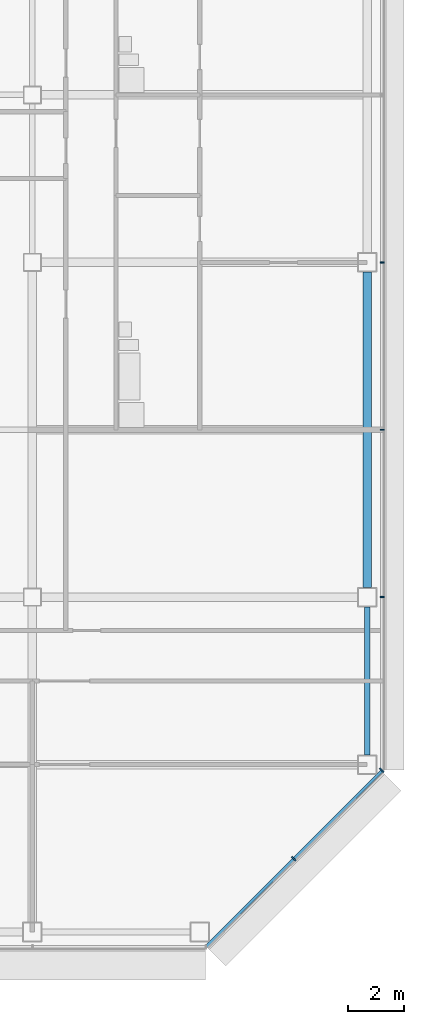
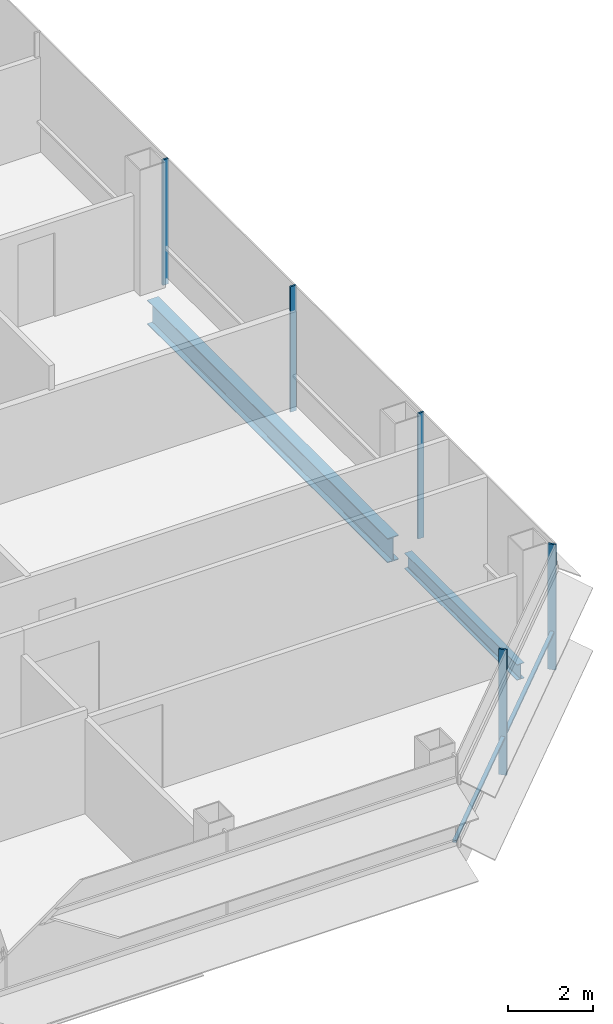
# One storey, part 15 of 26: 6 members, 2 beams, 2 elements without a shape of their own.
"""IFC4 building model written with IfcOpenShell, lengths in metres."""

from ifc_helpers import new_model, si_unit, direction, frame, origin, origin_2d, place, context, subcontext, project, spatial, rectangle, i_section, extrude, material, material_profile, profile_set, type_object, element, aggregate, save


model = new_model("IFC4")

# Units and contexts
model_context = context("Model", 3, precision=1e-05, world=origin(), true_north=direction((0.0, 1.0)))
body_context = subcontext(model_context, "Body", "Model", "MODEL_VIEW")
ifc_project = project(units=[si_unit("LENGTHUNIT", "METRE"), si_unit("AREAUNIT", "SQUARE_METRE"), si_unit("VOLUMEUNIT", "CUBIC_METRE"), si_unit("PLANEANGLEUNIT", "RADIAN"), si_unit("MASSUNIT", "GRAM", prefix="KILO")], contexts=[model_context])

# Site, building, storey
site_placement = place(None, origin())
site = spatial("IfcSite", under=ifc_project, at=site_placement, CompositionType="ELEMENT")
building_placement = place(site_placement, origin())
building = spatial("IfcBuilding", under=site, at=building_placement, Name="Sorahane Residences", CompositionType="ELEMENT")
storey_placement = place(building_placement, frame((0.0, 0.0, 154.60009765625)))
storey = spatial("IfcBuildingStorey", under=building, at=storey_placement, Name="L35", CompositionType="ELEMENT", Elevation=154.60009765625)

# Curtain wall, members
ifc_material_1 = material(Name="Dark low-e glass and black anodised aluminium", Category="aluminium")
curtain_wall_type_1 = type_object("IfcCurtainWallType", Name="Curtain wall CW-1 Typical unitised wall", PredefinedType="NOTDEFINED", material=ifc_material_1)
curtain_wall_1_placement = place(storey_placement, origin())
curtain_wall_1 = element("IfcCurtainWall", 1, at=curtain_wall_1_placement, inside=storey, type_object=curtain_wall_type_1, Name="CW-1 curtain wall L35 E1", PredefinedType="NOTDEFINED")
ifc_material_2 = material(Name="Black anodised aluminium", Category="aluminium")
ifc_material_profile_1 = material_profile(ifc_material_2, rectangle(XDim=0.159912109375, YDim=0.050048828125, at=origin_2d()), Name="Curtain wall mullion CW-1 black anodised aluminium 50x160")
ifc_profile_set_1 = profile_set([ifc_material_profile_1], Name="Black anodised aluminium")
member_type_1 = type_object("IfcMemberType", Name="Curtain wall mullion CW-1 black anodised aluminium 50x160", PredefinedType="MULLION", material=ifc_profile_set_1)
member_1_placement = place(storey_placement, frame((60.5400390625, 12.0, -0.18017578125), z_axis=(0.0, 0.0, 1.0), x_axis=(1.0, 0.0, 0.0)))
member_1 = element("IfcMember", 2, at=member_1_placement, type_object=member_type_1, Name="CW-1 mullion L35 E1.2", PredefinedType="MULLION", context=body_context, shape_type="SweptSolid", body=[
    extrude(rectangle(XDim=0.159912109375, YDim=0.050048828125, at=origin_2d()), origin(), (0.0, 0.0, 1.0), 3.60009765625),
])
member_2_placement = place(storey_placement, frame((60.5400390625, 18.0, -0.18017578125), z_axis=(0.0, 0.0, 1.0), x_axis=(1.0, 0.0, 0.0)))
member_2 = element("IfcMember", 3, at=member_2_placement, type_object=member_type_1, Name="CW-1 mullion L35 E1.3", PredefinedType="MULLION", context=body_context, shape_type="SweptSolid", body=[
    extrude(rectangle(XDim=0.159912109375, YDim=0.050048828125, at=origin_2d()), origin(), (0.0, 0.0, 1.0), 3.60009765625),
])
member_3_placement = place(storey_placement, frame((60.5400390625, 24.0, -0.18017578125), z_axis=(0.0, 0.0, 1.0), x_axis=(1.0, 0.0, 0.0)))
member_3 = element("IfcMember", 4, at=member_3_placement, type_object=member_type_1, Name="CW-1 mullion L35 E1.4", PredefinedType="MULLION", context=body_context, shape_type="SweptSolid", body=[
    extrude(rectangle(XDim=0.159912109375, YDim=0.050048828125, at=origin_2d()), origin(), (0.0, 0.0, 1.0), 3.60009765625),
])
aggregate(curtain_wall_1, [member_1, member_2, member_3])

ifc_material_3 = material(Name="Dark low-e glass and black anodised aluminium", Category="aluminium")
curtain_wall_type_2 = type_object("IfcCurtainWallType", Name="Curtain wall CW-2 Chamfer unitised wall", PredefinedType="NOTDEFINED", material=ifc_material_3)
curtain_wall_2_placement = place(storey_placement, origin())
curtain_wall_2 = element("IfcCurtainWall", 5, at=curtain_wall_2_placement, inside=storey, type_object=curtain_wall_type_2, Name="CW-2 curtain wall L35 SE1", PredefinedType="NOTDEFINED")
ifc_material_4 = material(Name="Black anodised aluminium", Category="aluminium")
ifc_material_profile_2 = material_profile(ifc_material_4, rectangle(XDim=0.199951171875, YDim=0.050048828125, at=origin_2d()), Name="Curtain wall mullion CW-2 black anodised aluminium 50x200")
ifc_profile_set_2 = profile_set([ifc_material_profile_2], Name="Black anodised aluminium")
member_type_2 = type_object("IfcMemberType", Name="Curtain wall mullion CW-2 black anodised aluminium 50x200", PredefinedType="MULLION", material=ifc_profile_set_2)
member_4_placement = place(storey_placement, frame((57.36767578125, 2.63232421875, -0.18017578125), z_axis=(0.0, 0.0, 1.0), x_axis=(0.707106781187, -0.707106781187, 0.0)))
member_4 = element("IfcMember", 6, at=member_4_placement, type_object=member_type_2, Name="CW-2 mullion L35 SE1.2", PredefinedType="MULLION", context=body_context, shape_type="SweptSolid", body=[
    extrude(rectangle(XDim=0.199951171875, YDim=0.050048828125, at=origin_2d()), origin(), (0.0, 0.0, 1.0), 3.60009765625),
])
member_5_placement = place(storey_placement, frame((60.525634765625, 5.790283203125, -0.18017578125), z_axis=(0.0, 0.0, 1.0), x_axis=(0.707106781187, -0.707106781187, 0.0)))
member_5 = element("IfcMember", 7, at=member_5_placement, type_object=member_type_2, Name="CW-2 mullion L35 SE1.3", PredefinedType="MULLION", context=body_context, shape_type="SweptSolid", body=[
    extrude(rectangle(XDim=0.199951171875, YDim=0.050048828125, at=origin_2d()), origin(), (0.0, 0.0, 1.0), 3.60009765625),
])
ifc_material_5 = material(Name="Black anodised aluminium", Category="aluminium")
ifc_material_profile_3 = material_profile(ifc_material_5, rectangle(XDim=0.10009765625, YDim=0.06005859375, at=origin_2d()), Name="Curtain wall transom CW-2 black anodised aluminium 60x100")
ifc_profile_set_3 = profile_set([ifc_material_profile_3], Name="Black anodised aluminium")
member_type_3 = type_object("IfcMemberType", Name="Curtain wall transom CW-2 black anodised aluminium 60x100", PredefinedType="USERDEFINED", material=ifc_profile_set_3)
member_6_placement = place(storey_placement, frame((54.234375, -0.51513671875, 0.89990234375), z_axis=(0.707106781187, 0.707106781187, 0.0), x_axis=(-0.707106781187, 0.707106781187, 0.0)))
member_6 = element("IfcMember", 8, at=member_6_placement, type_object=member_type_3, Name="CW-2 transom L35 SE1", ObjectType="TRANSOM", PredefinedType="USERDEFINED", context=body_context, shape_type="SweptSolid", body=[
    extrude(rectangle(XDim=0.10009765625, YDim=0.06005859375, at=origin_2d()), origin(), (0.0, 0.0, 1.0), 8.88232421875),
])
aggregate(curtain_wall_2, [member_4, member_5, member_6])

# Beams
ifc_material_6 = material(Name="Steel Q355B", Category="steel")
ifc_material_profile_4 = material_profile(ifc_material_6, i_section(OverallWidth=0.199951171875, OverallDepth=0.449951171875, WebThickness=0.009033203125, FlangeThickness=0.013916015625, FilletRadius=0.02001953125, at=origin_2d()), Name="HN 450x200x9x14")
ifc_profile_set_4 = profile_set([ifc_material_profile_4], Name="Steel Q355B")
beam_type_1 = type_object("IfcBeamType", Name="Steel floor beam HN 450x200x9x14 Q355B", PredefinedType="BEAM", material=ifc_profile_set_4)
beam_1_placement = place(storey_placement, frame((60.0, 6.35009765625, -0.405029296875), z_axis=(0.0, 1.0, 0.0), x_axis=(-1.0, 0.0, 0.0)))
element("IfcBeam", 9, at=beam_1_placement, inside=storey, type_object=beam_type_1, Name="Beam L35 064", PredefinedType="BEAM", context=body_context, shape_type="SweptSolid", body=[
    extrude(i_section(OverallWidth=0.199951171875, OverallDepth=0.449951171875, WebThickness=0.009033203125, FlangeThickness=0.013916015625, FilletRadius=0.02001953125, at=origin_2d()), origin(), (0.0, 0.0, 1.0), 5.2998046875),
])
ifc_material_7 = material(Name="Steel Q355B", Category="steel")
ifc_material_profile_5 = material_profile(ifc_material_7, i_section(OverallWidth=0.300048828125, OverallDepth=0.699951171875, WebThickness=0.012939453125, FlangeThickness=0.02392578125, FilletRadius=0.028076171875, at=origin_2d()), Name="HN 700x300x13x24")
ifc_profile_set_5 = profile_set([ifc_material_profile_5], Name="Steel Q355B")
beam_type_2 = type_object("IfcBeamType", Name="Steel floor beam HN 700x300x13x24 Q355B", PredefinedType="BEAM", material=ifc_profile_set_5)
beam_2_placement = place(storey_placement, frame((60.0, 12.35009765625, -0.530029296875), z_axis=(0.0, 1.0, 0.0), x_axis=(-1.0, 0.0, 0.0)))
element("IfcBeam", 10, at=beam_2_placement, inside=storey, type_object=beam_type_2, Name="Beam L35 065", PredefinedType="BEAM", context=body_context, shape_type="SweptSolid", body=[
    extrude(i_section(OverallWidth=0.300048828125, OverallDepth=0.699951171875, WebThickness=0.012939453125, FlangeThickness=0.02392578125, FilletRadius=0.028076171875, at=origin_2d()), origin(), (0.0, 0.0, 1.0), 11.2998046875),
])

save(model, "model.ifc")
